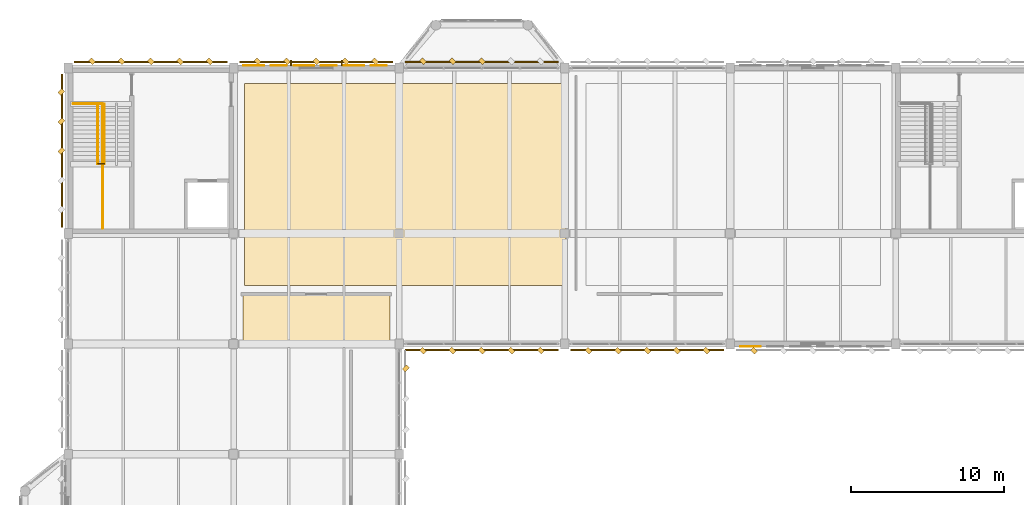
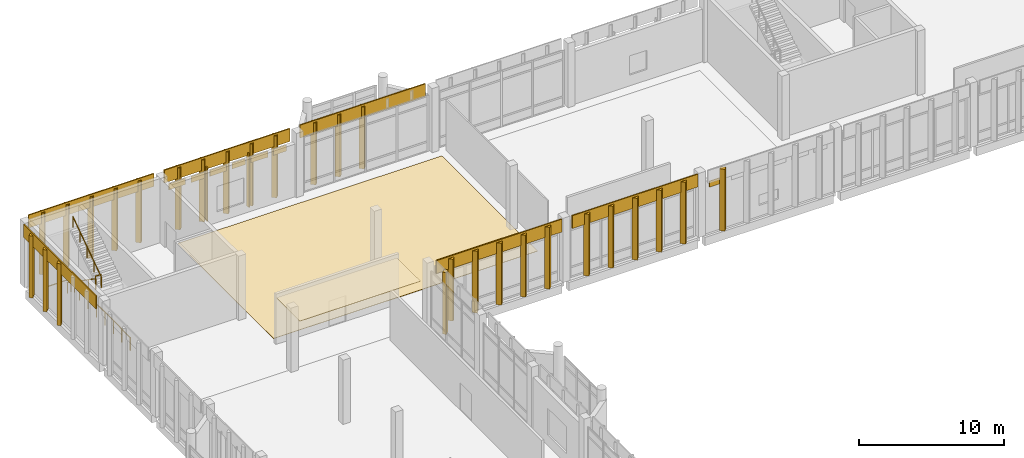
# One storey, part 171 of 180: 45 coverings, 4 railings.
"""IFC4 building model written with IfcOpenShell, lengths in metres."""

from ifc_helpers import new_model, si_unit, direction, frame, origin, origin_2d, place, context, subcontext, project, spatial, polyline, rectangle, circle, outline, extrude, material, layer, layer_set, type_object, element, save


model = new_model("IFC4")

# Units and contexts
model_context = context("Model", 3, precision=1e-05, world=origin(), true_north=direction((0.0, 1.0)))
body_context = subcontext(model_context, "Body", "Model", "MODEL_VIEW")
ifc_project = project(units=[si_unit("LENGTHUNIT", "METRE"), si_unit("AREAUNIT", "SQUARE_METRE"), si_unit("VOLUMEUNIT", "CUBIC_METRE"), si_unit("PLANEANGLEUNIT", "RADIAN"), si_unit("MASSUNIT", "GRAM", prefix="KILO")], contexts=[model_context])

# Site, building, storey
site_placement = place(None, origin())
site = spatial("IfcSite", under=ifc_project, at=site_placement, CompositionType="ELEMENT")
building_placement = place(site_placement, origin())
building = spatial("IfcBuilding", under=site, at=building_placement, Name="Lusvemor Sports Hall", CompositionType="ELEMENT")
storey_placement = place(building_placement, frame((0.0, 0.0, 5.39990234375)))
storey = spatial("IfcBuildingStorey", under=building, at=storey_placement, Name="L01", CompositionType="ELEMENT", Elevation=5.39990234375)

# Coverings
ifc_material_1 = material(Name="Emerald polychrome glazed ceramic cladding on Concrete C40/50 backing", Category="concrete")
ifc_layer_1 = layer(ifc_material_1, 0.0458984375)
ifc_layer_set_1 = layer_set([ifc_layer_1], Name="Emerald polychrome glazed ceramic cladding on Concrete C40/50 backing")
covering_type_1 = type_object("IfcCoveringType", Name="CLAD_WAVE_EMERALD", PredefinedType="CLADDING", material=ifc_layer_set_1)
for number, where, z_axis, x_axis, name in (
    (1, (12.11669921875, 115.365478515625, 3.8349609375), (0.0, 0.0, 1.0), (1.0, 0.0, 0.0), "Art Nouveau Patterned Cladding PS-EW-L01-N-1-1-1"),
    (2, (15.38330078125, 115.365478515625, 3.8349609375), (0.0, 0.0, 1.0), (1.0, 0.0, 0.0), "Art Nouveau Patterned Cladding PS-EW-L01-N-1-1-3"),
    (3, (18.64990234375, 115.365478515625, 3.8349609375), (0.0, 0.0, 1.0), (1.0, 0.0, 0.0), "Art Nouveau Patterned Cladding PS-EW-L01-N-1-1-5"),
    (4, (44.5166015625, 97.034423828125, 3.8349609375), (0.0, 0.0, 1.0), (1.0, 0.0, 0.0), "Art Nouveau Patterned Cladding PS-EW-L01-S-3-2-1"),
):
    element("IfcCovering", number, at=place(storey_placement, frame(where, z_axis=z_axis, x_axis=x_axis)), inside=storey, type_object=covering_type_1, Name=name, PredefinedType="CLADDING", context=body_context, shape_type="SweptSolid", body=[
        extrude(rectangle(XDim=1.33935546875, YDim=0.0458984375, at=origin_2d()), origin(), (0.0, 0.0, 1.0), 0.510009765625),
    ])
for number, where, z_axis, x_axis, name in (
    (5, (3.47998046875, 115.639892578125, 0.10009765625), (0.0, 0.0, 1.0), (0.707106781187, 0.707106781187, 0.0), "Patterned Diamond Cladding Rib 504"),
    (6, (7.320068359375, 115.639892578125, 0.10009765625), (0.0, 0.0, 1.0), (0.707106781187, 0.707106781187, 0.0), "Patterned Diamond Cladding Rib 506"),
    (7, (14.280029296875, 115.639892578125, 0.10009765625), (0.0, 0.0, 1.0), (0.707106781187, 0.707106781187, 0.0), "Patterned Diamond Cladding Rib 534"),
    (8, (18.1201171875, 115.639892578125, 0.10009765625), (0.0, 0.0, 1.0), (0.707106781187, 0.707106781187, 0.0), "Patterned Diamond Cladding Rib 536"),
    (9, (25.080078125, 115.639892578125, 0.10009765625), (0.0, 0.0, 1.0), (0.707106781187, 0.707106781187, 0.0), "Patterned Diamond Cladding Rib 564"),
):
    element("IfcCovering", number, at=place(storey_placement, frame(where, z_axis=z_axis, x_axis=x_axis)), inside=storey, type_object=covering_type_1, Name=name, PredefinedType="CLADDING", context=body_context, shape_type="SweptSolid", body=[
        extrude(rectangle(XDim=0.280029296875, YDim=0.3798828125, at=origin_2d()), origin(), (0.0, 0.0, 1.0), 5.199951171875),
    ])
covering_1_placement = place(storey_placement, frame((-0.43994140625, 111.719970703125, 0.10009765625), z_axis=(0.0, 0.0, 1.0), x_axis=(0.707106781187, 0.707106781187, 0.0)))
element("IfcCovering", 10, at=covering_1_placement, inside=storey, type_object=covering_type_1, Name="Patterned Diamond Cladding Rib 1130", PredefinedType="CLADDING", context=body_context, shape_type="SweptSolid", body=[
    extrude(rectangle(XDim=0.3798828125, YDim=0.280029296875, at=origin_2d()), origin(), (0.0, 0.0, 1.0), 5.199951171875),
])
for number, where, z_axis, x_axis, name in (
    (11, (25.080078125, 96.760009765625, 0.10009765625), (0.0, 0.0, 1.0), (0.707106781187, 0.707106781187, 0.0), "Patterned Diamond Cladding Rib 1170"),
    (12, (28.919921875, 96.760009765625, 0.10009765625), (0.0, 0.0, 1.0), (0.707106781187, 0.707106781187, 0.0), "Patterned Diamond Cladding Rib 1172"),
    (13, (35.8798828125, 96.760009765625, 0.10009765625), (0.0, 0.0, 1.0), (0.707106781187, 0.707106781187, 0.0), "Patterned Diamond Cladding Rib 1194"),
    (14, (39.719970703125, 96.760009765625, 0.10009765625), (0.0, 0.0, 1.0), (0.707106781187, 0.707106781187, 0.0), "Patterned Diamond Cladding Rib 1196"),
):
    element("IfcCovering", number, at=place(storey_placement, frame(where, z_axis=z_axis, x_axis=x_axis)), inside=storey, type_object=covering_type_1, Name=name, PredefinedType="CLADDING", context=body_context, shape_type="SweptSolid", body=[
        extrude(rectangle(XDim=0.280029296875, YDim=0.3798828125, at=origin_2d()), origin(), (0.0, 0.0, 1.0), 5.199951171875),
    ])
ifc_material_2 = material(Name="Warm terracotta Art Nouveau ceramic cladding on Concrete C40/50 backing", Category="masonry")
ifc_layer_2 = layer(ifc_material_2, 0.0380859375)
ifc_layer_set_2 = layer_set([ifc_layer_2], Name="Warm terracotta Art Nouveau ceramic cladding on Concrete C40/50 backing")
covering_type_2 = type_object("IfcCoveringType", Name="CLAD_WAVE_OCHRE", PredefinedType="CLADDING", material=ifc_layer_set_2)
for number, where, z_axis, x_axis, name in (
    (15, (13.75, 115.361572265625, 3.8349609375), (0.0, 0.0, 1.0), (1.0, 0.0, 0.0), "Art Nouveau Patterned Cladding PS-EW-L01-N-1-1-2"),
    (16, (17.0166015625, 115.361572265625, 3.8349609375), (0.0, 0.0, 1.0), (1.0, 0.0, 0.0), "Art Nouveau Patterned Cladding PS-EW-L01-N-1-1-4"),
    (17, (20.283203125, 115.361572265625, 3.8349609375), (0.0, 0.0, 1.0), (1.0, 0.0, 0.0), "Art Nouveau Patterned Cladding PS-EW-L01-N-1-1-6"),
):
    element("IfcCovering", number, at=place(storey_placement, frame(where, z_axis=z_axis, x_axis=x_axis)), inside=storey, type_object=covering_type_2, Name=name, PredefinedType="CLADDING", context=body_context, shape_type="SweptSolid", body=[
        extrude(rectangle(XDim=1.04541015625, YDim=0.0380859375, at=origin_2d()), origin(), (0.0, 0.0, 1.0), 0.510009765625),
    ])
for number, where, z_axis, x_axis, name in (
    (18, (5.39990234375, 115.590087890625, 4.380126953125), (0.0, 0.0, 1.0), (1.0, 0.0, 0.0), "Art Nouveau Spandrel Cornice 502"),
    (19, (16.199951171875, 115.590087890625, 4.380126953125), (0.0, 0.0, 1.0), (1.0, 0.0, 0.0), "Art Nouveau Spandrel Cornice 532"),
    (20, (27.0, 115.590087890625, 4.380126953125), (0.0, 0.0, 1.0), (1.0, 0.0, 0.0), "Art Nouveau Spandrel Cornice 562"),
):
    element("IfcCovering", number, at=place(storey_placement, frame(where, z_axis=z_axis, x_axis=x_axis)), inside=storey, type_object=covering_type_2, Name=name, PredefinedType="CLADDING", context=body_context, shape_type="SweptSolid", body=[
        extrude(rectangle(XDim=9.97998046875, YDim=0.090087890625, at=origin_2d()), origin(), (0.0, 0.0, 1.0), 1.080078125),
    ])
covering_2_placement = place(storey_placement, frame((-0.389892578125, 109.800048828125, 4.380126953125), z_axis=(0.0, 0.0, 1.0), x_axis=(1.0, 0.0, 0.0)))
element("IfcCovering", 21, at=covering_2_placement, inside=storey, type_object=covering_type_2, Name="Art Nouveau Spandrel Cornice 1126", PredefinedType="CLADDING", context=body_context, shape_type="SweptSolid", body=[
    extrude(rectangle(XDim=0.090087890625, YDim=9.97998046875, at=origin_2d()), origin(), (0.0, 0.0, 1.0), 1.080078125),
])
for number, where, z_axis, x_axis, name in (
    (22, (27.0, 96.81005859375, 4.380126953125), (0.0, 0.0, 1.0), (1.0, 0.0, 0.0), "Art Nouveau Spandrel Cornice 1168"),
    (23, (37.800048828125, 96.81005859375, 4.380126953125), (0.0, 0.0, 1.0), (1.0, 0.0, 0.0), "Art Nouveau Spandrel Cornice 1192"),
):
    element("IfcCovering", number, at=place(storey_placement, frame(where, z_axis=z_axis, x_axis=x_axis)), inside=storey, type_object=covering_type_2, Name=name, PredefinedType="CLADDING", context=body_context, shape_type="SweptSolid", body=[
        extrude(rectangle(XDim=9.97998046875, YDim=0.090087890625, at=origin_2d()), origin(), (0.0, 0.0, 1.0), 1.080078125),
    ])
ifc_material_3 = material(Name="Perforated mineral-fibre acoustic suspended ceiling")
ifc_layer_3 = layer(ifc_material_3, 0.033935546875)
ifc_layer_set_3 = layer_set([ifc_layer_3], Name="Perforated mineral-fibre acoustic suspended ceiling")
covering_type_3 = type_object("IfcCoveringType", Name="COV_CEIL_ACOUST", PredefinedType="CEILING", material=ifc_layer_set_3)
covering_3_placement = place(storey_placement, frame((0.0, 0.0, 3.800048828125)))
element("IfcCovering", 24, at=covering_3_placement, inside=storey, type_object=covering_type_3, Name="Acoustic Ceiling 2", PredefinedType="CEILING", context=body_context, shape_type="SweptSolid", body=[
    extrude(outline(polyline([(11.39990234375, 97.199951171875), (21.0, 97.199951171875), (21.0, 100.449951171875), (11.39990234375, 100.449951171875), (11.39990234375, 97.199951171875)])), origin(), (0.0, 0.0, 1.0), 0.033935546875),
])
ifc_material_4 = material(Name="Slip-resistant porcelain ceramic tile flooring")
ifc_layer_4 = layer(ifc_material_4, 0.030029296875)
ifc_layer_set_4 = layer_set([ifc_layer_4], Name="Slip-resistant porcelain ceramic tile flooring")
covering_type_4 = type_object("IfcCoveringType", Name="COV_TILE_PORC", PredefinedType="FLOORING", material=ifc_layer_set_4)
covering_4_placement = place(storey_placement, origin())
element("IfcCovering", 25, at=covering_4_placement, inside=storey, type_object=covering_type_4, Name="Porcelain Wet-Area Flooring 3", PredefinedType="FLOORING", context=body_context, shape_type="SweptSolid", body=[
    extrude(outline(polyline([(11.5, 101.0), (32.5, 101.0), (32.5, 114.199951171875), (11.5, 114.199951171875), (11.5, 101.0)])), origin(), (0.0, 0.0, 1.0), 0.030029296875),
])
ifc_material_5 = material(Name="Emerald polychrome glazed ceramic cladding on Concrete C40/50 backing", Category="concrete")
ifc_layer_5 = layer(ifc_material_5, 0.35009765625)
ifc_layer_set_5 = layer_set([ifc_layer_5], Name="Emerald polychrome glazed ceramic cladding on Concrete C40/50 backing")
covering_type_5 = type_object("IfcCoveringType", Name="FIN_BRISE_CER_350", PredefinedType="MOLDING", material=ifc_layer_set_5)
for number, where, z_axis, x_axis, name in (
    (26, (14.5400390625, 115.527587890625, 0.10009765625), (0.0, 0.0, 1.0), (1.0, 0.0, 0.0), "Wing Brise-Soleil Fin L01-N-1-1-1"),
    (27, (17.860107421875, 115.527587890625, 0.10009765625), (0.0, 0.0, 1.0), (1.0, 0.0, 0.0), "Wing Brise-Soleil Fin L01-N-1-1-2"),
):
    element("IfcCovering", number, at=place(storey_placement, frame(where, z_axis=z_axis, x_axis=x_axis)), inside=storey, type_object=covering_type_5, Name=name, PredefinedType="MOLDING", context=body_context, shape_type="SweptSolid", body=[
        extrude(rectangle(XDim=0.080078125, YDim=0.35009765625, at=origin_2d()), origin(), (0.0, 0.0, 1.0), 4.52001953125),
    ])
ifc_material_6 = material(Name="Warm terracotta Art Nouveau ceramic cladding on Concrete C40/50 backing", Category="masonry")
ifc_layer_6 = layer(ifc_material_6, 0.449951171875)
ifc_layer_set_6 = layer_set([ifc_layer_6], Name="Warm terracotta Art Nouveau ceramic cladding on Concrete C40/50 backing")
covering_type_6 = type_object("IfcCoveringType", Name="FIN_BRISE_CER_450", PredefinedType="MOLDING", material=ifc_layer_set_6)
for number, where, z_axis, x_axis, name in (
    (28, (1.56005859375, 115.639892578125, 0.10009765625), (0.0, 0.0, 1.0), (0.707106781187, 0.707106781187, 0.0), "Patterned Diamond Cladding Rib 503"),
    (29, (5.39990234375, 115.639892578125, 0.10009765625), (0.0, 0.0, 1.0), (0.707106781187, 0.707106781187, 0.0), "Patterned Diamond Cladding Rib 505"),
    (30, (9.239990234375, 115.639892578125, 0.10009765625), (0.0, 0.0, 1.0), (0.707106781187, 0.707106781187, 0.0), "Patterned Diamond Cladding Rib 507"),
    (31, (12.360107421875, 115.639892578125, 0.10009765625), (0.0, 0.0, 1.0), (0.707106781187, 0.707106781187, 0.0), "Patterned Diamond Cladding Rib 533"),
    (32, (16.199951171875, 115.639892578125, 0.10009765625), (0.0, 0.0, 1.0), (0.707106781187, 0.707106781187, 0.0), "Patterned Diamond Cladding Rib 535"),
    (33, (20.0400390625, 115.639892578125, 0.10009765625), (0.0, 0.0, 1.0), (0.707106781187, 0.707106781187, 0.0), "Patterned Diamond Cladding Rib 537"),
    (34, (23.159912109375, 115.639892578125, 0.10009765625), (0.0, 0.0, 1.0), (0.707106781187, 0.707106781187, 0.0), "Patterned Diamond Cladding Rib 563"),
    (35, (27.0, 115.639892578125, 0.10009765625), (0.0, 0.0, 1.0), (0.707106781187, 0.707106781187, 0.0), "Patterned Diamond Cladding Rib 565"),
):
    element("IfcCovering", number, at=place(storey_placement, frame(where, z_axis=z_axis, x_axis=x_axis)), inside=storey, type_object=covering_type_6, Name=name, PredefinedType="MOLDING", context=body_context, shape_type="SweptSolid", body=[
        extrude(rectangle(XDim=0.280029296875, YDim=0.3798828125, at=origin_2d()), origin(), (0.0, 0.0, 1.0), 5.199951171875),
    ])
for number, where, z_axis, x_axis, name in (
    (36, (-0.43994140625, 109.800048828125, 0.10009765625), (0.0, 0.0, 1.0), (0.707106781187, 0.707106781187, 0.0), "Patterned Diamond Cladding Rib 1129"),
    (37, (-0.43994140625, 113.639892578125, 0.10009765625), (0.0, 0.0, 1.0), (0.707106781187, 0.707106781187, 0.0), "Patterned Diamond Cladding Rib 1131"),
):
    element("IfcCovering", number, at=place(storey_placement, frame(where, z_axis=z_axis, x_axis=x_axis)), inside=storey, type_object=covering_type_6, Name=name, PredefinedType="MOLDING", context=body_context, shape_type="SweptSolid", body=[
        extrude(rectangle(XDim=0.3798828125, YDim=0.280029296875, at=origin_2d()), origin(), (0.0, 0.0, 1.0), 5.199951171875),
    ])
for number, where, z_axis, x_axis, name in (
    (38, (23.159912109375, 96.760009765625, 0.10009765625), (0.0, 0.0, 1.0), (0.707106781187, 0.707106781187, 0.0), "Patterned Diamond Cladding Rib 1169"),
    (39, (27.0, 96.760009765625, 0.10009765625), (0.0, 0.0, 1.0), (0.707106781187, 0.707106781187, 0.0), "Patterned Diamond Cladding Rib 1171"),
    (40, (30.840087890625, 96.760009765625, 0.10009765625), (0.0, 0.0, 1.0), (0.707106781187, 0.707106781187, 0.0), "Patterned Diamond Cladding Rib 1173"),
    (41, (33.9599609375, 96.760009765625, 0.10009765625), (0.0, 0.0, 1.0), (0.707106781187, 0.707106781187, 0.0), "Patterned Diamond Cladding Rib 1193"),
    (42, (37.800048828125, 96.760009765625, 0.10009765625), (0.0, 0.0, 1.0), (0.707106781187, 0.707106781187, 0.0), "Patterned Diamond Cladding Rib 1195"),
    (43, (41.639892578125, 96.760009765625, 0.10009765625), (0.0, 0.0, 1.0), (0.707106781187, 0.707106781187, 0.0), "Patterned Diamond Cladding Rib 1197"),
    (44, (44.760009765625, 96.760009765625, 0.10009765625), (0.0, 0.0, 1.0), (0.707106781187, 0.707106781187, 0.0), "Patterned Diamond Cladding Rib 1217"),
):
    element("IfcCovering", number, at=place(storey_placement, frame(where, z_axis=z_axis, x_axis=x_axis)), inside=storey, type_object=covering_type_6, Name=name, PredefinedType="MOLDING", context=body_context, shape_type="SweptSolid", body=[
        extrude(rectangle(XDim=0.280029296875, YDim=0.3798828125, at=origin_2d()), origin(), (0.0, 0.0, 1.0), 5.199951171875),
    ])
covering_5_placement = place(storey_placement, frame((22.0400390625, 95.60009765625, 0.10009765625), z_axis=(0.0, 0.0, 1.0), x_axis=(0.707106781187, 0.707106781187, 0.0)))
element("IfcCovering", 45, at=covering_5_placement, inside=storey, type_object=covering_type_6, Name="Patterned Diamond Cladding Rib 1466", PredefinedType="MOLDING", context=body_context, shape_type="SweptSolid", body=[
    extrude(rectangle(XDim=0.3798828125, YDim=0.280029296875, at=origin_2d()), origin(), (0.0, 0.0, 1.0), 5.199951171875),
])

# Railings
ifc_material_7 = material(Name="Bronze-finished wrought-steel Art Nouveau balustrade", Category="steel")
railing_type_1 = type_object("IfcRailingType", Name="RAIL_HANDRAIL_092", PredefinedType="HANDRAIL", material=ifc_material_7)
railing_1_placement = place(storey_placement, frame((1.93994140625, 112.85009765625, 0.0)))
element("IfcRailing", 46, at=railing_1_placement, inside=storey, type_object=railing_type_1, Name="Stair STR-C1-L01 Handrail F1", PredefinedType="HANDRAIL", context=body_context, shape_type="SweptSolid", body=[
    extrude(circle(Radius=0.02392578125, at=origin_2d()), frame((0.0, 0.0, 0.89599609375), z_axis=(0.0, -0.82354327477, 0.567253448276), x_axis=(1.0, 0.0, 0.0)), (0.0, 0.0, 1.0), 4.760009765625),
    extrude(circle(Radius=0.02099609375, at=origin_2d()), origin(), (0.0, 0.0, 1.0), 0.871826171875),
    extrude(circle(Radius=0.02099609375, at=origin_2d()), frame((0.0, -0.97998046875, 0.675048828125)), (0.0, 0.0, 1.0), 0.871826171875),
    extrude(circle(Radius=0.02099609375, at=origin_2d()), frame((0.0, -1.9599609375, 1.35009765625)), (0.0, 0.0, 1.0), 0.871826171875),
    extrude(circle(Radius=0.02099609375, at=origin_2d()), frame((0.0, -2.940185546875, 2.025146484375)), (0.0, 0.0, 1.0), 0.871826171875),
    extrude(circle(Radius=0.02099609375, at=origin_2d()), frame((0.0, -3.920166015625, 2.7001953125)), (0.0, 0.0, 1.0), 0.871826171875),
])
railing_2_placement = place(storey_placement, frame((2.3798828125, 108.929931640625, 2.7001953125)))
element("IfcRailing", 47, at=railing_2_placement, inside=storey, type_object=railing_type_1, Name="Stair STR-C1-L01 Handrail F2", PredefinedType="HANDRAIL", context=body_context, shape_type="SweptSolid", body=[
    extrude(circle(Radius=0.02392578125, at=origin_2d()), frame((0.0, 0.0, 0.89599609375), z_axis=(0.0, 0.823567234665, 0.567218661528), x_axis=(-1.0, 0.0, 0.0)), (0.0, 0.0, 1.0), 4.760009765625),
    extrude(circle(Radius=0.02099609375, at=origin_2d()), origin(), (0.0, 0.0, 1.0), 0.871826171875),
    extrude(circle(Radius=0.02099609375, at=origin_2d()), frame((0.0, 0.97998046875, 0.675048828125)), (0.0, 0.0, 1.0), 0.871826171875),
    extrude(circle(Radius=0.02099609375, at=origin_2d()), frame((0.0, 1.9599609375, 1.35009765625)), (0.0, 0.0, 1.0), 0.871826171875),
    extrude(circle(Radius=0.02099609375, at=origin_2d()), frame((0.0, 2.940185546875, 2.02490234375)), (0.0, 0.0, 1.0), 0.871826171875),
    extrude(circle(Radius=0.02099609375, at=origin_2d()), frame((0.0, 3.920166015625, 2.699951171875)), (0.0, 0.0, 1.0), 0.871826171875),
])
ifc_material_8 = material(Name="Bronze-finished wrought-steel Art Nouveau balustrade", Category="steel")
railing_type_2 = type_object("IfcRailingType", Name="RAIL_STAIR_GUARD_112", PredefinedType="GUARDRAIL", material=ifc_material_8)
railing_3_placement = place(storey_placement, frame((0.340087890625, 112.8701171875, 0.0)))
element("IfcRailing", 48, at=railing_3_placement, inside=storey, type_object=railing_type_2, Name="Stairwell C1 Top Guard (L01)", PredefinedType="GUARDRAIL", context=body_context, shape_type="SweptSolid", body=[
    extrude(circle(Radius=0.02392578125, at=origin_2d()), frame((0.0, 0.0, 1.09619140625), z_axis=(1.0, 0.0, 0.0), x_axis=(0.0, 1.0, 0.0)), (0.0, 0.0, 1.0), 1.919921875),
    extrude(circle(Radius=0.02392578125, at=origin_2d()), frame((1.919921875, 0.0, 1.09619140625), z_axis=(0.0, -1.0, 0.0), x_axis=(1.0, 0.0, 0.0)), (0.0, 0.0, 1.0), 8.130126953125),
    extrude(circle(Radius=0.02099609375, at=origin_2d()), origin(), (0.0, 0.0, 1.0), 1.072021484375),
    extrude(circle(Radius=0.02099609375, at=origin_2d()), frame((0.9599609375, 0.0, 0.0)), (0.0, 0.0, 1.0), 1.072021484375),
    extrude(circle(Radius=0.02099609375, at=origin_2d()), frame((1.919921875, 0.0, 0.0)), (0.0, 0.0, 1.0), 1.072021484375),
    extrude(circle(Radius=0.02099609375, at=origin_2d()), frame((1.919921875, -1.161376953125, 0.0)), (0.0, 0.0, 1.0), 1.072021484375),
    extrude(circle(Radius=0.02099609375, at=origin_2d()), frame((1.919921875, -2.322998046875, 0.0)), (0.0, 0.0, 1.0), 1.072021484375),
    extrude(circle(Radius=0.02099609375, at=origin_2d()), frame((1.919921875, -3.484375, 0.0)), (0.0, 0.0, 1.0), 1.072021484375),
    extrude(circle(Radius=0.02099609375, at=origin_2d()), frame((1.919921875, -4.645751953125, 0.0)), (0.0, 0.0, 1.0), 1.072021484375),
    extrude(circle(Radius=0.02099609375, at=origin_2d()), frame((1.919921875, -5.80712890625, 0.0)), (0.0, 0.0, 1.0), 1.072021484375),
    extrude(circle(Radius=0.02099609375, at=origin_2d()), frame((1.919921875, -6.96875, 0.0)), (0.0, 0.0, 1.0), 1.072021484375),
    extrude(circle(Radius=0.02099609375, at=origin_2d()), frame((1.919921875, -8.130126953125, 0.0)), (0.0, 0.0, 1.0), 1.072021484375),
])
railing_4_placement = place(storey_placement, frame((1.93994140625, 108.949951171875, 2.7001953125)))
element("IfcRailing", 49, at=railing_4_placement, inside=storey, type_object=railing_type_2, Name="Stair STR-C1-L01 Mid Well Guard", PredefinedType="GUARDRAIL", context=body_context, shape_type="SweptSolid", body=[
    extrude(circle(Radius=0.02392578125, at=origin_2d()), frame((0.0, 0.0, 1.09619140625), z_axis=(1.0, 0.0, 0.0), x_axis=(0.0, 1.0, 0.0)), (0.0, 0.0, 1.0), 0.43994140625),
    extrude(circle(Radius=0.02099609375, at=origin_2d()), origin(), (0.0, 0.0, 1.0), 1.072021484375),
    extrude(circle(Radius=0.02099609375, at=origin_2d()), frame((0.43994140625, 0.0, 0.0)), (0.0, 0.0, 1.0), 1.072021484375),
])

save(model, "model.ifc")
